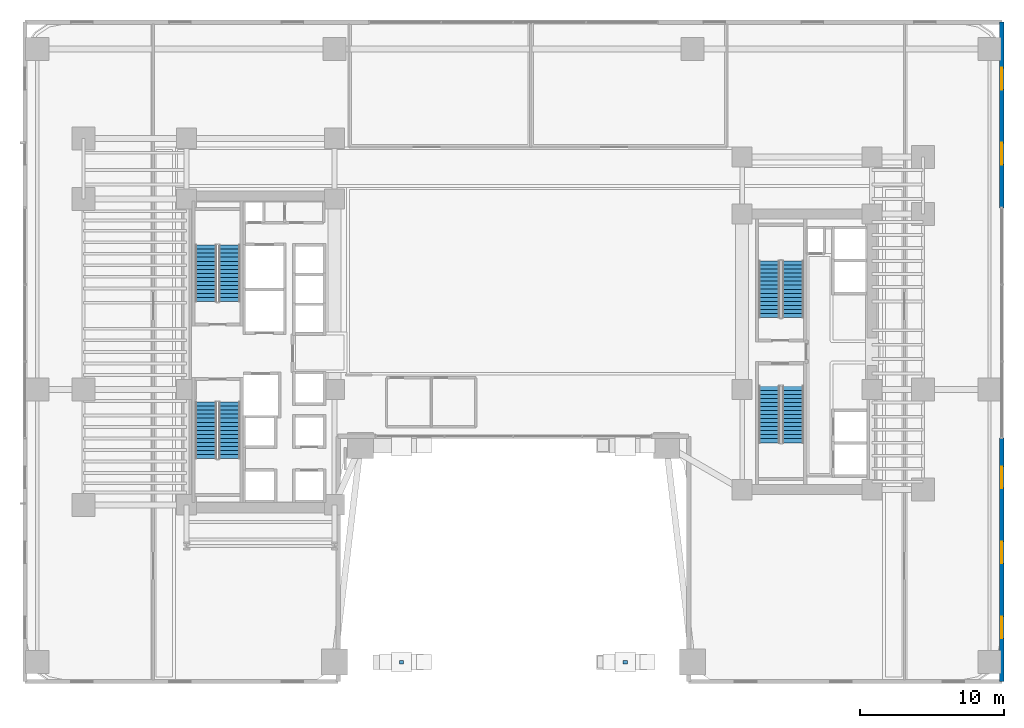
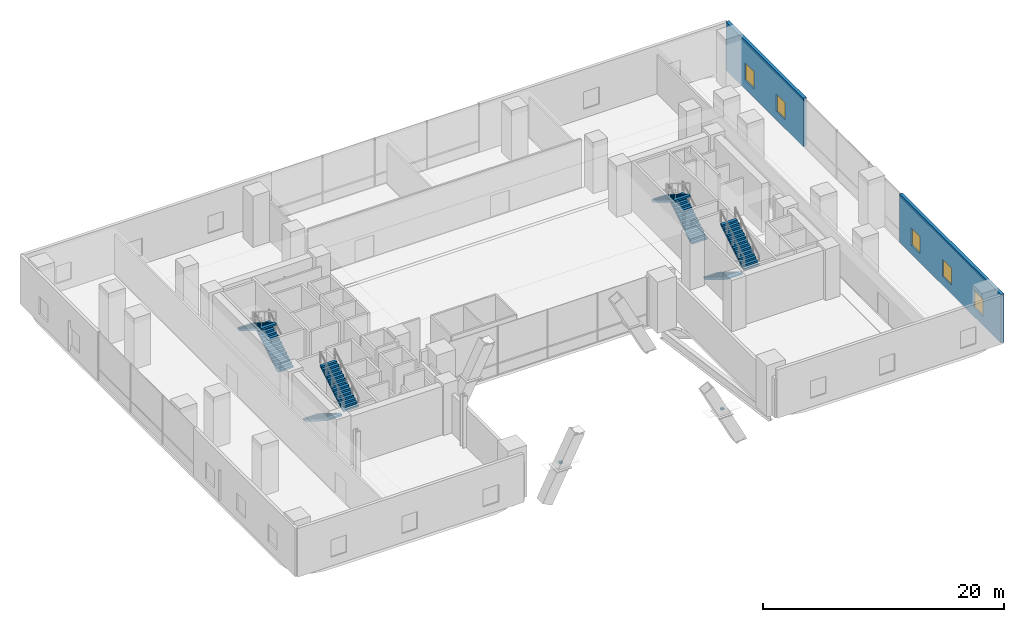
# One storey, part 30 of 39: 8 stair flights, 5 windows, 2 discrete accessories, 2 walls, 5 openings, 4 elements without a shape of their own.
"""IFC4 building model written with IfcOpenShell, lengths in metres."""

import ifcopenshell
import ifcopenshell.guid

model = None  # the IFC model being written
_history = None  # IfcOwnerHistory: only IFC2X3 demands one
_inside = {}  # id of a spatial element -> (the spatial element, [elements in it])
_under = {}  # id of a project, library or spatial element -> (it, [spatial elements below it])
_declared = {}  # id of a project -> (the project, [libraries it declares])
_typed = {}  # id of a type object -> (the type object, [elements of that type])
_made_of = {}  # id of a material, layer set ... -> (it, [elements and type objects made of it])


def new_model(schema):
    """Start an empty IFC model of exactly this schema.

    Asked for "IFC4X3", IfcOpenShell would pick the latest addendum, in which some entities
    have other attributes; the version numbers below select the first issue.
    IFC2X3 requires an IfcOwnerHistory on every rooted entity: one is made here for all.
    """
    global model, _history
    if schema == "IFC4X3":
        model = ifcopenshell.file(schema_version=(4, 3, 0, 0))
    else:
        model = ifcopenshell.file(schema=schema)
    _inside.clear()
    _under.clear()
    _declared.clear()
    _typed.clear()
    _made_of.clear()
    _history = None
    if model.schema == "IFC2X3":
        org = make("IfcOrganization", Name="unknown")
        user = make(
            "IfcPersonAndOrganization",
            ThePerson=make("IfcPerson", FamilyName="unknown"),
            TheOrganization=org,
        )
        app = make(
            "IfcApplication",
            ApplicationDeveloper=org,
            Version="unknown",
            ApplicationFullName="unknown",
            ApplicationIdentifier="unknown",
        )
        _history = make(
            "IfcOwnerHistory",
            OwningUser=user,
            OwningApplication=app,
            ChangeAction="ADDED",
            CreationDate=0,
        )
    return model


def make(cls, **values):
    """One entity of the class cls with the attributes given. An attribute that is None is left unset."""
    return model.create_entity(
        cls, **{name: value for name, value in values.items() if value is not None}
    )


def rooted(cls, **values):
    """An entity with a GlobalId (a new one), such as an element, a storey or a relation."""
    return make(cls, GlobalId=ifcopenshell.guid.new(), OwnerHistory=_history, **values)


def si_unit(unit_type, name, prefix=None):
    """IfcSIUnit, for example si_unit("LENGTHUNIT", "METRE", prefix="MILLI")."""
    return make("IfcSIUnit", UnitType=unit_type, Prefix=prefix, Name=name)


def assignment(units):
    """IfcUnitAssignment: the units of a project."""
    return None if units is None else make("IfcUnitAssignment", Units=units)


def point(xyz):
    """IfcCartesianPoint."""
    return None if xyz is None else make("IfcCartesianPoint", Coordinates=xyz)


def direction(xyz):
    """IfcDirection."""
    return None if xyz is None else make("IfcDirection", DirectionRatios=xyz)


def frame(location, z_axis=None, x_axis=None):
    """IfcAxis2Placement3D, a coordinate frame: its origin and axes. An axis left out is left unset."""
    return make(
        "IfcAxis2Placement3D",
        Location=point(location),
        Axis=direction(z_axis),
        RefDirection=direction(x_axis),
    )


def frame_2d(location, x_axis=None):
    """IfcAxis2Placement2D, a coordinate frame in the plane: its origin and x axis."""
    return make(
        "IfcAxis2Placement2D", Location=point(location), RefDirection=direction(x_axis)
    )


def origin():
    """The frame at (0, 0, 0) with its axes left unset."""
    return frame((0.0, 0.0, 0.0))


def origin_2d():
    """The frame at (0, 0) in the plane with its x axis left unset."""
    return frame_2d((0.0, 0.0))


def place(relative_to, where):
    """IfcLocalPlacement: puts the frame where relative to a parent placement (None: the world)."""
    return make(
        "IfcLocalPlacement", PlacementRelTo=relative_to, RelativePlacement=where
    )


def context(
    kind, dimensions, precision=None, world=None, true_north=None, identifier=None
):
    """IfcGeometricRepresentationContext, for example the 3D "Model" context."""
    return make(
        "IfcGeometricRepresentationContext",
        ContextIdentifier=identifier,
        ContextType=kind,
        CoordinateSpaceDimension=dimensions,
        Precision=precision,
        WorldCoordinateSystem=world,
        TrueNorth=true_north,
    )


def subcontext(parent, identifier, kind, view, scale=None):
    """IfcGeometricRepresentationSubContext, for example "Body" below "Model"."""
    return make(
        "IfcGeometricRepresentationSubContext",
        ContextIdentifier=identifier,
        ContextType=kind,
        ParentContext=parent,
        TargetScale=scale,
        TargetView=view,
    )


def project(units=None, contexts=None):
    """IfcProject with its units and contexts."""
    return rooted(
        "IfcProject",
        Name="project",
        RepresentationContexts=contexts,
        UnitsInContext=assignment(units),
    )


def spatial(cls, under=None, at=None, **own):
    """A site, building, storey or space (cls), placed at a placement, below another one or the project."""
    s = rooted(cls, ObjectPlacement=at, **own)
    if under is not None:
        _under.setdefault(under.id(), (under, []))[1].append(s)
    return s


def polyline(points):
    """IfcPolyline through the points."""
    return make("IfcPolyline", Points=[point(p) for p in points])


def profile(cls, at=None, kind="AREA", **sizes):
    """A parametric profile (cls). Its sizes go by their IFC names, for example OverallWidth=200.0."""
    return make(cls, ProfileType=kind, Position=at, **sizes)


def rectangle(**sizes):
    """IfcRectangleProfileDef."""
    return profile("IfcRectangleProfileDef", **sizes)


def outline(outer, holes=None, kind="AREA"):
    """IfcArbitraryClosedProfileDef: a profile drawn as a closed curve; with holes, ...WithVoids."""
    if holes is None:
        return make("IfcArbitraryClosedProfileDef", ProfileType=kind, OuterCurve=outer)
    return make(
        "IfcArbitraryProfileDefWithVoids",
        ProfileType=kind,
        OuterCurve=outer,
        InnerCurves=holes,
    )


def extrude(swept, where, along, depth):
    """IfcExtrudedAreaSolid: the profile swept, set in the frame where, extruded along a direction by depth."""
    return make(
        "IfcExtrudedAreaSolid",
        SweptArea=swept,
        Position=where,
        ExtrudedDirection=direction(along),
        Depth=depth,
    )


def shape(context_of_items, identifier, shape_type, items):
    """IfcShapeRepresentation: the items that make up one representation, for example the "Body"."""
    return make(
        "IfcShapeRepresentation",
        ContextOfItems=context_of_items,
        RepresentationIdentifier=identifier,
        RepresentationType=shape_type,
        Items=items,
    )


def source(mapping_origin, context_of_items, identifier, shape_type, items):
    """IfcRepresentationMap: a shape defined once, which mapped items show again and again."""
    return make(
        "IfcRepresentationMap",
        MappingOrigin=mapping_origin,
        MappedRepresentation=shape(context_of_items, identifier, shape_type, items),
    )


def transform(
    local_origin,
    x_axis=None,
    y_axis=None,
    z_axis=None,
    scale=None,
    scale2=None,
    scale3=None,
    uniform=True,
):
    """IfcCartesianTransformationOperator3D, or its non-uniform kind. x_axis, y_axis, z_axis: its Axis1, 2, 3."""
    if uniform:
        return make(
            "IfcCartesianTransformationOperator3D",
            Axis1=direction(x_axis),
            Axis2=direction(y_axis),
            LocalOrigin=point(local_origin),
            Scale=scale,
            Axis3=direction(z_axis),
        )
    return make(
        "IfcCartesianTransformationOperator3DnonUniform",
        Axis1=direction(x_axis),
        Axis2=direction(y_axis),
        LocalOrigin=point(local_origin),
        Scale=scale,
        Axis3=direction(z_axis),
        Scale2=scale2,
        Scale3=scale3,
    )


def mapped(mapping_source, mapping_target):
    """IfcMappedItem: shows the shape of a source again, moved by a transform."""
    return make(
        "IfcMappedItem", MappingSource=mapping_source, MappingTarget=mapping_target
    )


def material(Name=None, Category=None):
    """IfcMaterial."""
    return make("IfcMaterial", Name=Name, Category=Category)


def layer(
    of_material, thickness, ventilated=None, Name=None, Category=None, Priority=None
):
    """IfcMaterialLayer: one layer of a wall or slab, of a material (None: an air gap)."""
    return make(
        "IfcMaterialLayer",
        Material=of_material,
        LayerThickness=thickness,
        IsVentilated=ventilated,
        Name=Name,
        Category=Category,
        Priority=Priority,
    )


def layer_set(layers, Name=None):
    """IfcMaterialLayerSet."""
    return make("IfcMaterialLayerSet", MaterialLayers=layers, LayerSetName=Name)


def made_of(thing, what):
    """Note that an element or type object is made of a material, layer set ...; save() writes the relation."""
    if what is not None:
        _made_of.setdefault(what.id(), (what, []))[1].append(thing)
    return thing


def type_object(cls, material=None, **own):
    """A type object (cls), such as IfcWallType, which elements share."""
    return made_of(rooted(cls, **own), material)


def element(
    cls,
    number,
    at=None,
    inside=None,
    cuts=None,
    type_object=None,
    material=None,
    context=None,
    identifier="Body",
    shape_type=None,
    held_by="IfcProductDefinitionShape",
    body=None,
    shapes=None,
    **own,
):
    """One element of the class cls, such as IfcWall. Its Tag is "e" and its number.

    at: its placement. inside: the storey or other place that contains it. cuts: it is an
    opening in that element (IfcRelVoidsElement). A single representation is given by context,
    identifier, shape_type and body (its items); several are given by shapes. held_by: the class
    of the entity that holds the representations. save() writes the other relations.
    """
    e = rooted(cls, Tag="e%d" % number, ObjectPlacement=at, **own)
    if body is not None:
        shapes = [shape(context, identifier, shape_type, body)]
    if shapes is not None:
        e.Representation = make(held_by, Representations=shapes)
    if inside is not None:
        _inside.setdefault(inside.id(), (inside, []))[1].append(e)
    if cuts is not None:
        rooted(
            "IfcRelVoidsElement", RelatingBuildingElement=cuts, RelatedOpeningElement=e
        )
    if type_object is not None:
        _typed.setdefault(type_object.id(), (type_object, []))[1].append(e)
    return made_of(e, material)


def fill(opening, filler):
    """IfcRelFillsElement: the door or window that sits in an opening."""
    return rooted(
        "IfcRelFillsElement",
        RelatingOpeningElement=opening,
        RelatedBuildingElement=filler,
    )


def aggregate(whole, parts):
    """IfcRelAggregates: a whole, such as a stair, and the parts it consists of."""
    return rooted("IfcRelAggregates", RelatingObject=whole, RelatedObjects=parts)


def save(model, path):
    """Write the relations noted so far, then the file.

    IfcRelAggregates (storeys below a building ...), IfcRelContainedInSpatialStructure (elements
    in a storey), IfcRelDefinesByType, IfcRelAssociatesMaterial and IfcRelDeclares: one each for
    every whole, place, type object, material and project.
    """
    for whole, parts in _under.values():
        aggregate(whole, parts)
    for where, things in _inside.values():
        rooted(
            "IfcRelContainedInSpatialStructure",
            RelatedElements=things,
            RelatingStructure=where,
        )
    for kind, things in _typed.values():
        rooted("IfcRelDefinesByType", RelatedObjects=things, RelatingType=kind)
    for what, things in _made_of.values():
        rooted("IfcRelAssociatesMaterial", RelatedObjects=things, RelatingMaterial=what)
    for by, libraries in _declared.values():
        rooted("IfcRelDeclares", RelatingContext=by, RelatedDefinitions=libraries)
    model.write(path)


model = new_model("IFC4")

# Units and contexts
model_context = context("Model", 3, precision=1e-05, world=origin(), true_north=direction((0.0, 1.0)))
body_context = subcontext(model_context, "Body", "Model", "MODEL_VIEW")
ifc_project = project(units=[si_unit("LENGTHUNIT", "METRE"), si_unit("AREAUNIT", "SQUARE_METRE"), si_unit("VOLUMEUNIT", "CUBIC_METRE"), si_unit("PLANEANGLEUNIT", "RADIAN"), si_unit("MASSUNIT", "GRAM", prefix="KILO")], contexts=[model_context])

# Site, building, storey
site_placement = place(None, origin())
site = spatial("IfcSite", under=ifc_project, at=site_placement, CompositionType="ELEMENT")
building_placement = place(site_placement, origin())
building = spatial("IfcBuilding", under=site, at=building_placement, Name="Valdorenza Pilgrim Sanctuary Tower", CompositionType="ELEMENT")
storey_placement = place(building_placement, frame((0.0, 0.0, 10.39990234375)))
storey = spatial("IfcBuildingStorey", under=building, at=storey_placement, Name="L02", CompositionType="ELEMENT", Elevation=10.39990234375)

# Wall, openings, windows
ifc_material_1 = material(Name="Honed travertine limestone", Category="masonry")
ifc_layer = layer(ifc_material_1, 0.300048828125, Name="Honed travertine limestone")
ifc_layer_set = layer_set([ifc_layer], Name="Honed travertine limestone")
wall_type = type_object("IfcWallType", Name="WAL-EXT-300", PredefinedType="SOLIDWALL", material=ifc_layer_set)
wall_1_placement = place(storey_placement, frame((33.85009765625, -22.85009765625, 0.0), z_axis=(0.0, 0.0, 1.0), x_axis=(0.0, 1.0, 0.0)))
wall_1 = element("IfcWall", 1, at=wall_1_placement, inside=storey, type_object=wall_type, Name="L02 Podium Honed Travertine Stone Wall E-S", PredefinedType="SOLIDWALL", context=body_context, shape_type="SweptSolid", body=[
    extrude(rectangle(XDim=16.8701171875, YDim=0.300048828125, at=frame_2d((8.43505859375, 0.0))), origin(), (0.0, 0.0, 1.0), 4.920166015625),
])
opening_1_placement = place(wall_1_placement, frame((3.0, 0.0, 0.89990234375)))
opening_1 = element("IfcOpeningElement", 2, at=opening_1_placement, cuts=wall_1, Name="Opening WN-VS1", PredefinedType="OPENING", context=body_context, shape_type="SweptSolid", body=[
    extrude(rectangle(XDim=1.5, YDim=1.75, at=frame_2d((0.75, 0.875))), frame((0.0, 0.1650390625, 0.0), z_axis=(0.0, -1.0, 0.0), x_axis=(1.0, 0.0, 0.0)), (0.0, 0.0, 1.0), 0.329833984375),
])
opening_2_placement = place(wall_1_placement, frame((8.199951171875, 0.0, 0.89990234375)))
opening_2 = element("IfcOpeningElement", 3, at=opening_2_placement, cuts=wall_1, Name="Opening WN-VS1", PredefinedType="OPENING", context=body_context, shape_type="SweptSolid", body=[
    extrude(rectangle(XDim=1.5, YDim=1.75, at=frame_2d((0.75, 0.875))), frame((0.0, 0.1650390625, 0.0), z_axis=(0.0, -1.0, 0.0), x_axis=(1.0, 0.0, 0.0)), (0.0, 0.0, 1.0), 0.329833984375),
])
opening_3_placement = place(wall_1_placement, frame((13.39990234375, 0.0, 0.89990234375)))
opening_3 = element("IfcOpeningElement", 4, at=opening_3_placement, cuts=wall_1, Name="Opening WN-VS1", PredefinedType="OPENING", context=body_context, shape_type="SweptSolid", body=[
    extrude(rectangle(XDim=1.5, YDim=1.75, at=frame_2d((0.75, 0.875))), frame((0.0, 0.1650390625, 0.0), z_axis=(0.0, -1.0, 0.0), x_axis=(1.0, 0.0, 0.0)), (0.0, 0.0, 1.0), 0.329833984375),
])
ifc_material_2 = material(Name="Ceramic-fritted low-E IGU glazing", Category="glass")
window_type = type_object("IfcWindowType", Name="WIN-VIS-1500", PartitioningType="SINGLE_PANEL", PredefinedType="WINDOW", material=ifc_material_2)
window_1_placement = place(opening_1_placement, origin())
window_1 = element("IfcWindow", 5, at=window_1_placement, inside=storey, type_object=window_type, Name="L02 Podium Stone Vision Window E-S-1", OverallHeight=1.75, OverallWidth=1.5, PartitioningType="SINGLE_PANEL", PredefinedType="WINDOW", context=body_context, shape_type="SweptSolid", body=[
    extrude(rectangle(XDim=1.5, YDim=1.75, at=frame_2d((0.75, 0.875))), frame((0.0, 0.030029296875, 0.0), z_axis=(0.0, -1.0, 0.0), x_axis=(1.0, 0.0, 0.0)), (0.0, 0.0, 1.0), 0.06005859375),
])
fill(opening_1, window_1)
window_2_placement = place(opening_2_placement, origin())
window_2 = element("IfcWindow", 6, at=window_2_placement, inside=storey, type_object=window_type, Name="L02 Podium Stone Vision Window E-S-2", OverallHeight=1.75, OverallWidth=1.5, PartitioningType="SINGLE_PANEL", PredefinedType="WINDOW", context=body_context, shape_type="SweptSolid", body=[
    extrude(rectangle(XDim=1.5, YDim=1.75, at=frame_2d((0.75, 0.875))), frame((0.0, 0.030029296875, 0.0), z_axis=(0.0, -1.0, 0.0), x_axis=(1.0, 0.0, 0.0)), (0.0, 0.0, 1.0), 0.06005859375),
])
fill(opening_2, window_2)
window_3_placement = place(opening_3_placement, origin())
window_3 = element("IfcWindow", 7, at=window_3_placement, inside=storey, type_object=window_type, Name="L02 Podium Stone Vision Window E-S-3", OverallHeight=1.75, OverallWidth=1.5, PartitioningType="SINGLE_PANEL", PredefinedType="WINDOW", context=body_context, shape_type="SweptSolid", body=[
    extrude(rectangle(XDim=1.5, YDim=1.75, at=frame_2d((0.75, 0.875))), frame((0.0, 0.030029296875, 0.0), z_axis=(0.0, -1.0, 0.0), x_axis=(1.0, 0.0, 0.0)), (0.0, 0.0, 1.0), 0.06005859375),
])
fill(opening_3, window_3)

wall_2_placement = place(storey_placement, frame((33.85009765625, 9.97998046875, 0.0), z_axis=(0.0, 0.0, 1.0), x_axis=(0.0, 1.0, 0.0)))
wall_2 = element("IfcWall", 8, at=wall_2_placement, inside=storey, type_object=wall_type, Name="L02 Podium Honed Travertine Stone Wall E-N", PredefinedType="SOLIDWALL", context=body_context, shape_type="SweptSolid", body=[
    extrude(rectangle(XDim=12.8701171875, YDim=0.300048828125, at=frame_2d((6.43505859375, 0.0))), origin(), (0.0, 0.0, 1.0), 4.920166015625),
])
opening_4_placement = place(wall_2_placement, frame((3.0, 0.0, 0.89990234375)))
opening_4 = element("IfcOpeningElement", 9, at=opening_4_placement, cuts=wall_2, Name="Opening WN-VS1", PredefinedType="OPENING", context=body_context, shape_type="SweptSolid", body=[
    extrude(rectangle(XDim=1.5, YDim=1.75, at=frame_2d((0.75, 0.875))), frame((0.0, 0.1650390625, 0.0), z_axis=(0.0, -1.0, 0.0), x_axis=(1.0, 0.0, 0.0)), (0.0, 0.0, 1.0), 0.329833984375),
])
opening_5_placement = place(wall_2_placement, frame((8.199951171875, 0.0, 0.89990234375)))
opening_5 = element("IfcOpeningElement", 10, at=opening_5_placement, cuts=wall_2, Name="Opening WN-VS1", PredefinedType="OPENING", context=body_context, shape_type="SweptSolid", body=[
    extrude(rectangle(XDim=1.5, YDim=1.75, at=frame_2d((0.75, 0.875))), frame((0.0, 0.1650390625, 0.0), z_axis=(0.0, -1.0, 0.0), x_axis=(1.0, 0.0, 0.0)), (0.0, 0.0, 1.0), 0.329833984375),
])
window_4_placement = place(opening_4_placement, origin())
window_4 = element("IfcWindow", 11, at=window_4_placement, inside=storey, type_object=window_type, Name="L02 Podium Stone Vision Window E-N-1", OverallHeight=1.75, OverallWidth=1.5, PartitioningType="SINGLE_PANEL", PredefinedType="WINDOW", context=body_context, shape_type="SweptSolid", body=[
    extrude(rectangle(XDim=1.5, YDim=1.75, at=frame_2d((0.75, 0.875))), frame((0.0, 0.030029296875, 0.0), z_axis=(0.0, -1.0, 0.0), x_axis=(1.0, 0.0, 0.0)), (0.0, 0.0, 1.0), 0.06005859375),
])
fill(opening_4, window_4)
window_5_placement = place(opening_5_placement, origin())
window_5 = element("IfcWindow", 12, at=window_5_placement, inside=storey, type_object=window_type, Name="L02 Podium Stone Vision Window E-N-2", OverallHeight=1.75, OverallWidth=1.5, PartitioningType="SINGLE_PANEL", PredefinedType="WINDOW", context=body_context, shape_type="SweptSolid", body=[
    extrude(rectangle(XDim=1.5, YDim=1.75, at=frame_2d((0.75, 0.875))), frame((0.0, 0.030029296875, 0.0), z_axis=(0.0, -1.0, 0.0), x_axis=(1.0, 0.0, 0.0)), (0.0, 0.0, 1.0), 0.06005859375),
])
fill(opening_5, window_5)

# Stair, stair flights
ifc_material_3 = material(Name="Concrete C40/50", Category="concrete")
stair_type = type_object("IfcStairType", Name="STR-DOG-CORE", PredefinedType="HALF_TURN_STAIR", material=ifc_material_3)
stair_1_placement = place(storey_placement, origin())
stair_1 = element("IfcStair", 13, at=stair_1_placement, inside=storey, type_object=stair_type, Name="L02 ST-A1", PredefinedType="HALF_TURN_STAIR")
stair_flight_type = type_object("IfcStairFlightType", Name="STF-RC-1400", PredefinedType="STRAIGHT", material=ifc_material_3)
stair_flight_1_placement = place(storey_placement, frame((-19.679931640625, 3.47998046875, 0.0), z_axis=(0.0, 0.0, 1.0), x_axis=(0.0, 1.0, 0.0)))
stair_flight_1 = element("IfcStairFlight", 14, at=stair_flight_1_placement, type_object=stair_flight_type, Name="ST-A1 flight 1", NumberOfRisers=15, NumberOfTreads=14, PredefinedType="STRAIGHT", RiserHeight=0.173333333, TreadLength=0.28, context=body_context, shape_type="SweptSolid", body=[
    extrude(outline(polyline([(0.0, 0.0), (0.0, 0.17333984375), (0.280029296875, 0.17333984375), (0.280029296875, 0.3466796875), (0.56005859375, 0.3466796875), (0.56005859375, 0.52001953125), (0.840087890625, 0.52001953125), (0.840087890625, 0.693359375), (1.1201171875, 0.693359375), (1.1201171875, 0.86669921875), (1.39990234375, 0.86669921875), (1.39990234375, 1.0400390625), (1.679931640625, 1.0400390625), (1.679931640625, 1.21337890625), (1.9599609375, 1.21337890625), (1.9599609375, 1.38671875), (2.239990234375, 1.38671875), (2.239990234375, 1.56005859375), (2.52001953125, 1.56005859375), (2.52001953125, 1.7333984375), (2.800048828125, 1.7333984375), (2.800048828125, 1.90673828125), (3.080078125, 1.90673828125), (3.080078125, 2.080078125), (3.360107421875, 2.080078125), (3.360107421875, 2.25341796875), (3.639892578125, 2.25341796875), (3.639892578125, 2.4267578125), (3.919921875, 2.4267578125), (3.919921875, 2.60009765625), (3.919921875, 2.250244140625), (0.284912109375, 0.0), (0.0, 0.0)])), frame((0.0, 0.739990234375, 0.0), z_axis=(0.0, -1.0, 0.0), x_axis=(1.0, 0.0, 0.0)), (0.0, 0.0, 1.0), 1.47998046875),
])
stair_flight_2_placement = place(storey_placement, frame((-21.31005859375, 7.39990234375, 2.60009765625), z_axis=(0.0, 0.0, 1.0), x_axis=(0.0, -1.0, 0.0)))
stair_flight_2 = element("IfcStairFlight", 15, at=stair_flight_2_placement, type_object=stair_flight_type, Name="ST-A1 flight 2", NumberOfRisers=15, NumberOfTreads=14, PredefinedType="STRAIGHT", RiserHeight=0.173333333, TreadLength=0.28, context=body_context, shape_type="SweptSolid", body=[
    extrude(outline(polyline([(0.0, 0.0), (0.0, 0.17333984375), (0.280029296875, 0.17333984375), (0.280029296875, 0.3466796875), (0.56005859375, 0.3466796875), (0.56005859375, 0.52001953125), (0.840087890625, 0.52001953125), (0.840087890625, 0.693359375), (1.1201171875, 0.693359375), (1.1201171875, 0.86669921875), (1.39990234375, 0.86669921875), (1.39990234375, 1.0400390625), (1.679931640625, 1.0400390625), (1.679931640625, 1.21337890625), (1.9599609375, 1.21337890625), (1.9599609375, 1.38671875), (2.239990234375, 1.38671875), (2.239990234375, 1.56005859375), (2.52001953125, 1.56005859375), (2.52001953125, 1.7333984375), (2.800048828125, 1.7333984375), (2.800048828125, 1.90673828125), (3.080078125, 1.90673828125), (3.080078125, 2.080078125), (3.360107421875, 2.080078125), (3.360107421875, 2.25341796875), (3.639892578125, 2.25341796875), (3.639892578125, 2.4267578125), (3.919921875, 2.4267578125), (3.919921875, 2.60009765625), (3.919921875, 2.250244140625), (0.284912109375, 0.0), (0.0, 0.0)])), frame((0.0, 0.739990234375, 0.0), z_axis=(0.0, -1.0, 0.0), x_axis=(1.0, 0.0, 0.0)), (0.0, 0.0, 1.0), 1.47998046875),
])
aggregate(stair_1, [stair_flight_1, stair_flight_2])

stair_2_placement = place(storey_placement, origin())
stair_2 = element("IfcStair", 16, at=stair_2_placement, inside=storey, type_object=stair_type, Name="L02 ST-A2", PredefinedType="HALF_TURN_STAIR")
stair_flight_3_placement = place(storey_placement, frame((-21.31005859375, -3.47998046875, 0.0), z_axis=(0.0, 0.0, 1.0), x_axis=(0.0, -1.0, 0.0)))
stair_flight_3 = element("IfcStairFlight", 17, at=stair_flight_3_placement, type_object=stair_flight_type, Name="ST-A2 flight 1", NumberOfRisers=15, NumberOfTreads=14, PredefinedType="STRAIGHT", RiserHeight=0.173333333, TreadLength=0.28, context=body_context, shape_type="SweptSolid", body=[
    extrude(outline(polyline([(0.0, 0.0), (0.0, 0.17333984375), (0.280029296875, 0.17333984375), (0.280029296875, 0.3466796875), (0.56005859375, 0.3466796875), (0.56005859375, 0.52001953125), (0.840087890625, 0.52001953125), (0.840087890625, 0.693359375), (1.1201171875, 0.693359375), (1.1201171875, 0.86669921875), (1.39990234375, 0.86669921875), (1.39990234375, 1.0400390625), (1.679931640625, 1.0400390625), (1.679931640625, 1.21337890625), (1.9599609375, 1.21337890625), (1.9599609375, 1.38671875), (2.239990234375, 1.38671875), (2.239990234375, 1.56005859375), (2.52001953125, 1.56005859375), (2.52001953125, 1.7333984375), (2.800048828125, 1.7333984375), (2.800048828125, 1.90673828125), (3.080078125, 1.90673828125), (3.080078125, 2.080078125), (3.360107421875, 2.080078125), (3.360107421875, 2.25341796875), (3.639892578125, 2.25341796875), (3.639892578125, 2.4267578125), (3.919921875, 2.4267578125), (3.919921875, 2.60009765625), (3.919921875, 2.250244140625), (0.284912109375, 0.0), (0.0, 0.0)])), frame((0.0, 0.739990234375, 0.0), z_axis=(0.0, -1.0, 0.0), x_axis=(1.0, 0.0, 0.0)), (0.0, 0.0, 1.0), 1.47998046875),
])
stair_flight_4_placement = place(storey_placement, frame((-19.679931640625, -7.39990234375, 2.60009765625), z_axis=(0.0, 0.0, 1.0), x_axis=(0.0, 1.0, 0.0)))
stair_flight_4 = element("IfcStairFlight", 18, at=stair_flight_4_placement, type_object=stair_flight_type, Name="ST-A2 flight 2", NumberOfRisers=15, NumberOfTreads=14, PredefinedType="STRAIGHT", RiserHeight=0.173333333, TreadLength=0.28, context=body_context, shape_type="SweptSolid", body=[
    extrude(outline(polyline([(0.0, 0.0), (0.0, 0.17333984375), (0.280029296875, 0.17333984375), (0.280029296875, 0.3466796875), (0.56005859375, 0.3466796875), (0.56005859375, 0.52001953125), (0.840087890625, 0.52001953125), (0.840087890625, 0.693359375), (1.1201171875, 0.693359375), (1.1201171875, 0.86669921875), (1.39990234375, 0.86669921875), (1.39990234375, 1.0400390625), (1.679931640625, 1.0400390625), (1.679931640625, 1.21337890625), (1.9599609375, 1.21337890625), (1.9599609375, 1.38671875), (2.239990234375, 1.38671875), (2.239990234375, 1.56005859375), (2.52001953125, 1.56005859375), (2.52001953125, 1.7333984375), (2.800048828125, 1.7333984375), (2.800048828125, 1.90673828125), (3.080078125, 1.90673828125), (3.080078125, 2.080078125), (3.360107421875, 2.080078125), (3.360107421875, 2.25341796875), (3.639892578125, 2.25341796875), (3.639892578125, 2.4267578125), (3.919921875, 2.4267578125), (3.919921875, 2.60009765625), (3.919921875, 2.250244140625), (0.284912109375, 0.0), (0.0, 0.0)])), frame((0.0, 0.739990234375, 0.0), z_axis=(0.0, -1.0, 0.0), x_axis=(1.0, 0.0, 0.0)), (0.0, 0.0, 1.0), 1.47998046875),
])
aggregate(stair_2, [stair_flight_3, stair_flight_4])

stair_3_placement = place(storey_placement, origin())
stair_3 = element("IfcStair", 19, at=stair_3_placement, inside=storey, type_object=stair_type, Name="L02 ST-B1", PredefinedType="HALF_TURN_STAIR")
stair_flight_5_placement = place(storey_placement, frame((19.3701171875, 2.3798828125, 0.0), z_axis=(0.0, 0.0, 1.0), x_axis=(0.0, 1.0, 0.0)))
stair_flight_5 = element("IfcStairFlight", 20, at=stair_flight_5_placement, type_object=stair_flight_type, Name="ST-B1 flight 1", NumberOfRisers=15, NumberOfTreads=14, PredefinedType="STRAIGHT", RiserHeight=0.173333333, TreadLength=0.28, context=body_context, shape_type="SweptSolid", body=[
    extrude(outline(polyline([(0.0, 0.0), (0.0, 0.17333984375), (0.280029296875, 0.17333984375), (0.280029296875, 0.3466796875), (0.56005859375, 0.3466796875), (0.56005859375, 0.52001953125), (0.840087890625, 0.52001953125), (0.840087890625, 0.693359375), (1.1201171875, 0.693359375), (1.1201171875, 0.86669921875), (1.39990234375, 0.86669921875), (1.39990234375, 1.0400390625), (1.679931640625, 1.0400390625), (1.679931640625, 1.21337890625), (1.9599609375, 1.21337890625), (1.9599609375, 1.38671875), (2.239990234375, 1.38671875), (2.239990234375, 1.56005859375), (2.52001953125, 1.56005859375), (2.52001953125, 1.7333984375), (2.800048828125, 1.7333984375), (2.800048828125, 1.90673828125), (3.080078125, 1.90673828125), (3.080078125, 2.080078125), (3.360107421875, 2.080078125), (3.360107421875, 2.25341796875), (3.639892578125, 2.25341796875), (3.639892578125, 2.4267578125), (3.919921875, 2.4267578125), (3.919921875, 2.60009765625), (3.919921875, 2.250244140625), (0.284912109375, 0.0), (0.0, 0.0)])), frame((0.0, 0.739990234375, 0.0), z_axis=(0.0, -1.0, 0.0), x_axis=(1.0, 0.0, 0.0)), (0.0, 0.0, 1.0), 1.47998046875),
])
stair_flight_6_placement = place(storey_placement, frame((17.739990234375, 6.300048828125, 2.60009765625), z_axis=(0.0, 0.0, 1.0), x_axis=(0.0, -1.0, 0.0)))
stair_flight_6 = element("IfcStairFlight", 21, at=stair_flight_6_placement, type_object=stair_flight_type, Name="ST-B1 flight 2", NumberOfRisers=15, NumberOfTreads=14, PredefinedType="STRAIGHT", RiserHeight=0.173333333, TreadLength=0.28, context=body_context, shape_type="SweptSolid", body=[
    extrude(outline(polyline([(0.0, 0.0), (0.0, 0.17333984375), (0.280029296875, 0.17333984375), (0.280029296875, 0.3466796875), (0.56005859375, 0.3466796875), (0.56005859375, 0.52001953125), (0.840087890625, 0.52001953125), (0.840087890625, 0.693359375), (1.1201171875, 0.693359375), (1.1201171875, 0.86669921875), (1.39990234375, 0.86669921875), (1.39990234375, 1.0400390625), (1.679931640625, 1.0400390625), (1.679931640625, 1.21337890625), (1.9599609375, 1.21337890625), (1.9599609375, 1.38671875), (2.239990234375, 1.38671875), (2.239990234375, 1.56005859375), (2.52001953125, 1.56005859375), (2.52001953125, 1.7333984375), (2.800048828125, 1.7333984375), (2.800048828125, 1.90673828125), (3.080078125, 1.90673828125), (3.080078125, 2.080078125), (3.360107421875, 2.080078125), (3.360107421875, 2.25341796875), (3.639892578125, 2.25341796875), (3.639892578125, 2.4267578125), (3.919921875, 2.4267578125), (3.919921875, 2.60009765625), (3.919921875, 2.250244140625), (0.284912109375, 0.0), (0.0, 0.0)])), frame((0.0, 0.739990234375, 0.0), z_axis=(0.0, -1.0, 0.0), x_axis=(1.0, 0.0, 0.0)), (0.0, 0.0, 1.0), 1.47998046875),
])
aggregate(stair_3, [stair_flight_5, stair_flight_6])

stair_4_placement = place(storey_placement, origin())
stair_4 = element("IfcStair", 22, at=stair_4_placement, inside=storey, type_object=stair_type, Name="L02 ST-B2", PredefinedType="HALF_TURN_STAIR")
stair_flight_7_placement = place(storey_placement, frame((17.739990234375, -2.3798828125, 0.0), z_axis=(0.0, 0.0, 1.0), x_axis=(0.0, -1.0, 0.0)))
stair_flight_7 = element("IfcStairFlight", 23, at=stair_flight_7_placement, type_object=stair_flight_type, Name="ST-B2 flight 1", NumberOfRisers=15, NumberOfTreads=14, PredefinedType="STRAIGHT", RiserHeight=0.173333333, TreadLength=0.28, context=body_context, shape_type="SweptSolid", body=[
    extrude(outline(polyline([(0.0, 0.0), (0.0, 0.17333984375), (0.280029296875, 0.17333984375), (0.280029296875, 0.3466796875), (0.56005859375, 0.3466796875), (0.56005859375, 0.52001953125), (0.840087890625, 0.52001953125), (0.840087890625, 0.693359375), (1.1201171875, 0.693359375), (1.1201171875, 0.86669921875), (1.39990234375, 0.86669921875), (1.39990234375, 1.0400390625), (1.679931640625, 1.0400390625), (1.679931640625, 1.21337890625), (1.9599609375, 1.21337890625), (1.9599609375, 1.38671875), (2.239990234375, 1.38671875), (2.239990234375, 1.56005859375), (2.52001953125, 1.56005859375), (2.52001953125, 1.7333984375), (2.800048828125, 1.7333984375), (2.800048828125, 1.90673828125), (3.080078125, 1.90673828125), (3.080078125, 2.080078125), (3.360107421875, 2.080078125), (3.360107421875, 2.25341796875), (3.639892578125, 2.25341796875), (3.639892578125, 2.4267578125), (3.919921875, 2.4267578125), (3.919921875, 2.60009765625), (3.919921875, 2.250244140625), (0.284912109375, 0.0), (0.0, 0.0)])), frame((0.0, 0.739990234375, 0.0), z_axis=(0.0, -1.0, 0.0), x_axis=(1.0, 0.0, 0.0)), (0.0, 0.0, 1.0), 1.47998046875),
])
stair_flight_8_placement = place(storey_placement, frame((19.3701171875, -6.300048828125, 2.60009765625), z_axis=(0.0, 0.0, 1.0), x_axis=(0.0, 1.0, 0.0)))
stair_flight_8 = element("IfcStairFlight", 24, at=stair_flight_8_placement, type_object=stair_flight_type, Name="ST-B2 flight 2", NumberOfRisers=15, NumberOfTreads=14, PredefinedType="STRAIGHT", RiserHeight=0.173333333, TreadLength=0.28, context=body_context, shape_type="SweptSolid", body=[
    extrude(outline(polyline([(0.0, 0.0), (0.0, 0.17333984375), (0.280029296875, 0.17333984375), (0.280029296875, 0.3466796875), (0.56005859375, 0.3466796875), (0.56005859375, 0.52001953125), (0.840087890625, 0.52001953125), (0.840087890625, 0.693359375), (1.1201171875, 0.693359375), (1.1201171875, 0.86669921875), (1.39990234375, 0.86669921875), (1.39990234375, 1.0400390625), (1.679931640625, 1.0400390625), (1.679931640625, 1.21337890625), (1.9599609375, 1.21337890625), (1.9599609375, 1.38671875), (2.239990234375, 1.38671875), (2.239990234375, 1.56005859375), (2.52001953125, 1.56005859375), (2.52001953125, 1.7333984375), (2.800048828125, 1.7333984375), (2.800048828125, 1.90673828125), (3.080078125, 1.90673828125), (3.080078125, 2.080078125), (3.360107421875, 2.080078125), (3.360107421875, 2.25341796875), (3.639892578125, 2.25341796875), (3.639892578125, 2.4267578125), (3.919921875, 2.4267578125), (3.919921875, 2.60009765625), (3.919921875, 2.250244140625), (0.284912109375, 0.0), (0.0, 0.0)])), frame((0.0, 0.739990234375, 0.0), z_axis=(0.0, -1.0, 0.0), x_axis=(1.0, 0.0, 0.0)), (0.0, 0.0, 1.0), 1.47998046875),
])
aggregate(stair_4, [stair_flight_7, stair_flight_8])

# Discrete accessories
ifc_material_4 = material(Name="Stainless steel Grade 316", Category="steel")
discrete_accessory_type = type_object("IfcDiscreteAccessoryType", Name="ACC-BRK-STN", PredefinedType="BRACKET", material=ifc_material_4)
shared_shape = source(origin(), body_context, "Body", "SweptSolid", [
    extrude(rectangle(XDim=0.280029296875, YDim=0.239990234375, at=origin_2d()), origin(), (0.0, 0.0, 1.0), 0.179931640625),
])
for number, where, z_axis, x_axis, name in (
    (25, (-7.75, -21.5, 1.5439453125), (0.0, 0.0, 1.0), (1.0, 0.0, 0.0), "Portal Arch Soffit Support Bracket 2"),
    (26, (7.75, -21.5, 1.5439453125), (0.0, 0.0, 1.0), (1.0, 0.0, 0.0), "Portal Arch Soffit Support Bracket 7"),
):
    element("IfcDiscreteAccessory", number, at=place(storey_placement, frame(where, z_axis=z_axis, x_axis=x_axis)), inside=storey, type_object=discrete_accessory_type, Name=name, PredefinedType="BRACKET", context=body_context, shape_type="MappedRepresentation", body=[
        mapped(shared_shape, transform((0.0, 0.0, 0.0), x_axis=(1.0, 0.0, 0.0), y_axis=(0.0, 1.0, 0.0), z_axis=(0.0, 0.0, 1.0), scale=1.0)),
    ])

save(model, "model.ifc")
